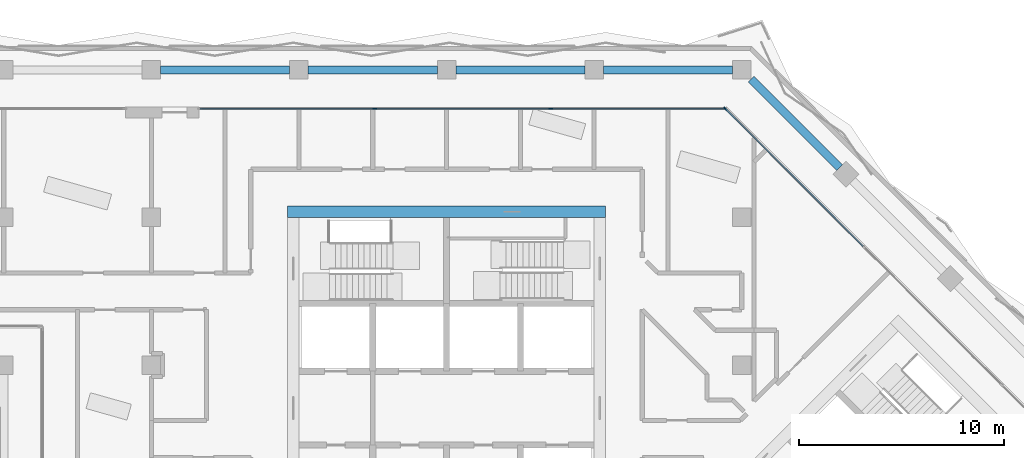
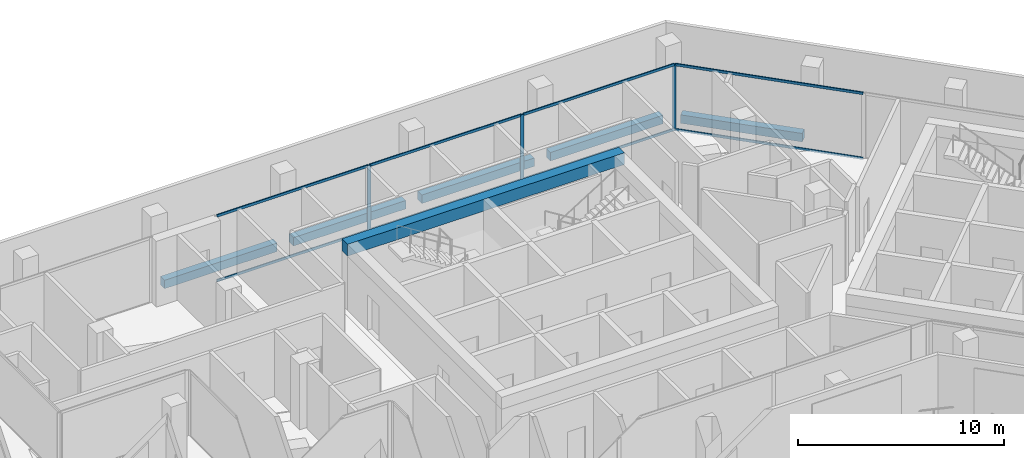
# One storey, part 6 of 19: 11 members, 6 beams, 2 elements without a shape of their own.
"""IFC4 building model written with IfcOpenShell, lengths in metres."""

from ifc_helpers import new_model, si_unit, direction, frame, origin, origin_2d, place, context, subcontext, project, spatial, rectangle, extrude, material, material_profile, profile_set, type_object, element, aggregate, save


model = new_model("IFC4")

# Units and contexts
model_context = context("Model", 3, precision=1e-05, world=origin(), true_north=direction((0.0, 1.0)))
body_context = subcontext(model_context, "Body", "Model", "MODEL_VIEW")
ifc_project = project(units=[si_unit("LENGTHUNIT", "METRE"), si_unit("AREAUNIT", "SQUARE_METRE"), si_unit("VOLUMEUNIT", "CUBIC_METRE"), si_unit("PLANEANGLEUNIT", "RADIAN"), si_unit("MASSUNIT", "GRAM", prefix="KILO")], contexts=[model_context])

# Site, building, storey
site_placement = place(None, origin())
site = spatial("IfcSite", under=ifc_project, at=site_placement, CompositionType="ELEMENT")
building_placement = place(site_placement, origin())
building = spatial("IfcBuilding", under=site, at=building_placement, Name="Windrow Commons", CompositionType="ELEMENT")
storey_placement = place(building_placement, frame((0.0, 0.0, 176.2)))
storey = spatial("IfcBuildingStorey", under=building, at=storey_placement, Name="L48", CompositionType="ELEMENT", Elevation=176.2)

# Curtain wall, member
ifc_material_1 = material(Name="Clear laminated glass in Aluminium 6063-T6 anodised frame", Category="aluminium")
curtain_wall_type = type_object("IfcCurtainWallType", Name="Curtain wall CW2H sky lounge upper", PredefinedType="USERDEFINED", material=ifc_material_1)
placement = place(storey_placement, origin())
curtain_wall_1 = element("IfcCurtainWall", 1, at=placement, inside=storey, type_object=curtain_wall_type, Name="Curtain wall CW2H L48 3", ObjectType="UNITISED", PredefinedType="USERDEFINED")
ifc_material_2 = material(Name="Aluminium 6063-T6", Category="aluminium")
ifc_material_profile_1 = material_profile(ifc_material_2, rectangle(XDim=0.06, YDim=0.2, at=origin_2d()))
ifc_profile_set_1 = profile_set([ifc_material_profile_1], Name="Aluminium 6063-T6")
member_type_1 = type_object("IfcMemberType", Name="CW2H mullion 60x200", PredefinedType="MULLION", material=ifc_profile_set_1)
member_1_placement = place(storey_placement, frame((78.4049, 70.1081, 0.0), z_axis=(0.0, 0.0, 1.0), x_axis=(-0.7071067812, -0.7071067812, 0.0)))
member_1 = element("IfcMember", 2, at=member_1_placement, type_object=member_type_1, Name="CW2H mullion 4", PredefinedType="MULLION", context=body_context, shape_type="SweptSolid", body=[
    extrude(rectangle(XDim=0.06, YDim=0.2, at=origin_2d()), origin(), (0.0, 0.0, 1.0), 3.9),
])

# Curtain wall, members
curtain_wall_2 = element("IfcCurtainWall", 3, at=placement, inside=storey, type_object=curtain_wall_type, Name="Curtain wall CW2H L48 4.1", ObjectType="UNITISED", PredefinedType="USERDEFINED")
member_2_placement = place(storey_placement, frame((69.8787, 70.1, 0.0), z_axis=(0.0, 0.0, 1.0), x_axis=(0.0, -1.0, 0.0)))
member_2 = element("IfcMember", 4, at=member_2_placement, type_object=member_type_1, Name="CW2H mullion 2", PredefinedType="MULLION", context=body_context, shape_type="SweptSolid", body=[
    extrude(rectangle(XDim=0.06, YDim=0.2, at=origin_2d()), origin(), (0.0, 0.0, 1.0), 3.9),
])
member_3_placement = place(storey_placement, frame((61.3031, 70.1, 0.0), z_axis=(0.0, 0.0, 1.0), x_axis=(0.0, -1.0, 0.0)))
member_3 = element("IfcMember", 5, at=member_3_placement, type_object=member_type_1, Name="CW2H mullion 3", PredefinedType="MULLION", context=body_context, shape_type="SweptSolid", body=[
    extrude(rectangle(XDim=0.06, YDim=0.2, at=origin_2d()), origin(), (0.0, 0.0, 1.0), 3.9),
])

# Member
ifc_material_3 = material(Name="Aluminium 6063-T6", Category="aluminium")
ifc_material_profile_2 = material_profile(ifc_material_3, rectangle(XDim=0.06, YDim=0.15, at=origin_2d()))
ifc_profile_set_2 = profile_set([ifc_material_profile_2], Name="Aluminium 6063-T6")
member_type_2 = type_object("IfcMemberType", Name="CW2H transom 60x150", PredefinedType="USERDEFINED", material=ifc_profile_set_2)
member_4_placement = place(storey_placement, frame((85.1164, 63.3966, 0.03), z_axis=(-0.7071067812, 0.7071067812, 0.0), x_axis=(-0.7071067812, -0.7071067812, 0.0)))
member_4 = element("IfcMember", 6, at=member_4_placement, type_object=member_type_2, Name="CW2H transom 3.1", ObjectType="TRANSOM", PredefinedType="USERDEFINED", context=body_context, shape_type="SweptSolid", body=[
    extrude(rectangle(XDim=0.06, YDim=0.15, at=origin_2d()), origin(), (0.0, 0.0, 1.0), 9.4615),
])

member_5_placement = place(storey_placement, frame((85.1164, 63.3966, 3.87), z_axis=(-0.7071067812, 0.7071067812, 0.0), x_axis=(-0.7071067812, -0.7071067812, 0.0)))
member_5 = element("IfcMember", 7, at=member_5_placement, type_object=member_type_2, Name="CW2H transom 3.2", ObjectType="TRANSOM", PredefinedType="USERDEFINED", context=body_context, shape_type="SweptSolid", body=[
    extrude(rectangle(XDim=0.06, YDim=0.15, at=origin_2d()), origin(), (0.0, 0.0, 1.0), 9.4615),
])

aggregate(curtain_wall_1, [member_1, member_4, member_5])

member_6_placement = place(storey_placement, frame((78.3944, 70.1, 0.03), z_axis=(-1.0, 0.0, 0.0), x_axis=(0.0, -1.0, 0.0)))
member_6 = element("IfcMember", 8, at=member_6_placement, type_object=member_type_2, Name="CW2H transom 1.1", ObjectType="TRANSOM", PredefinedType="USERDEFINED", context=body_context, shape_type="SweptSolid", body=[
    extrude(rectangle(XDim=0.06, YDim=0.15, at=origin_2d()), origin(), (0.0, 0.0, 1.0), 8.4857),
])

member_7_placement = place(storey_placement, frame((78.3944, 70.1, 3.87), z_axis=(-1.0, 0.0, 0.0), x_axis=(0.0, -1.0, 0.0)))
member_7 = element("IfcMember", 9, at=member_7_placement, type_object=member_type_2, Name="CW2H transom 1.2", ObjectType="TRANSOM", PredefinedType="USERDEFINED", context=body_context, shape_type="SweptSolid", body=[
    extrude(rectangle(XDim=0.06, YDim=0.15, at=origin_2d()), origin(), (0.0, 0.0, 1.0), 8.4857),
])

member_8_placement = place(storey_placement, frame((69.8487, 70.1, 0.03), z_axis=(-1.0, 0.0, 0.0), x_axis=(0.0, -1.0, 0.0)))
member_8 = element("IfcMember", 10, at=member_8_placement, type_object=member_type_2, Name="CW2H transom 2.1", ObjectType="TRANSOM", PredefinedType="USERDEFINED", context=body_context, shape_type="SweptSolid", body=[
    extrude(rectangle(XDim=0.06, YDim=0.15, at=origin_2d()), origin(), (0.0, 0.0, 1.0), 8.5156),
])

member_9_placement = place(storey_placement, frame((69.8487, 70.1, 3.87), z_axis=(-1.0, 0.0, 0.0), x_axis=(0.0, -1.0, 0.0)))
member_9 = element("IfcMember", 11, at=member_9_placement, type_object=member_type_2, Name="CW2H transom 2.2", ObjectType="TRANSOM", PredefinedType="USERDEFINED", context=body_context, shape_type="SweptSolid", body=[
    extrude(rectangle(XDim=0.06, YDim=0.15, at=origin_2d()), origin(), (0.0, 0.0, 1.0), 8.5156),
])

member_10_placement = place(storey_placement, frame((61.2731, 70.1, 0.03), z_axis=(-1.0, 0.0, 0.0), x_axis=(0.0, -1.0, 0.0)))
member_10 = element("IfcMember", 12, at=member_10_placement, type_object=member_type_2, Name="CW2H transom 3.1", ObjectType="TRANSOM", PredefinedType="USERDEFINED", context=body_context, shape_type="SweptSolid", body=[
    extrude(rectangle(XDim=0.06, YDim=0.15, at=origin_2d()), origin(), (0.0, 0.0, 1.0), 8.4857),
])

member_11_placement = place(storey_placement, frame((61.2731, 70.1, 3.87), z_axis=(-1.0, 0.0, 0.0), x_axis=(0.0, -1.0, 0.0)))
member_11 = element("IfcMember", 13, at=member_11_placement, type_object=member_type_2, Name="CW2H transom 3.2", ObjectType="TRANSOM", PredefinedType="USERDEFINED", context=body_context, shape_type="SweptSolid", body=[
    extrude(rectangle(XDim=0.06, YDim=0.15, at=origin_2d()), origin(), (0.0, 0.0, 1.0), 8.4857),
])

aggregate(curtain_wall_2, [member_2, member_3, member_6, member_7, member_8, member_9, member_10, member_11])

# Beams
ifc_material_4 = material(Name="Concrete C50/60", Category="concrete")
ifc_material_profile_3 = material_profile(ifc_material_4, rectangle(XDim=0.55, YDim=0.7, at=origin_2d()))
ifc_profile_set_3 = profile_set([ifc_material_profile_3], Name="Concrete C50/60")
beam_type_1 = type_object("IfcBeamType", Name="RC COUPLING BEAM 550x700 C50/60", PredefinedType="LINTEL", material=ifc_profile_set_3)
beam_1_placement = place(storey_placement, frame((57.05, 65.075, 3.55), z_axis=(1.0, 0.0, 0.0), x_axis=(0.0, 1.0, 0.0)))
element("IfcBeam", 14, at=beam_1_placement, inside=storey, type_object=beam_type_1, Name="Core A coupling beam outer-N", PredefinedType="LINTEL", context=body_context, shape_type="SweptSolid", body=[
    extrude(rectangle(XDim=0.55, YDim=0.7, at=origin_2d()), origin(), (0.0, 0.0, 1.0), 15.5),
])
ifc_material_5 = material(Name="Concrete C50/60", Category="concrete")
ifc_material_profile_4 = material_profile(ifc_material_5, rectangle(XDim=0.4, YDim=0.5, at=origin_2d()))
ifc_profile_set_4 = profile_set([ifc_material_profile_4], Name="Concrete C50/60")
beam_type_2 = type_object("IfcBeamType", Name="RC EDGE BEAM 400x500 C50/60", PredefinedType="SPANDREL", material=ifc_profile_set_4)
for number, where, z_axis, x_axis, name in (
    (15, (50.85, 72.0, -0.55), (1.0, 0.0, 0.0), (0.0, 1.0, 0.0), "Edge beam L48 014"),
    (16, (58.05, 72.0, -0.55), (1.0, 0.0, 0.0), (0.0, 1.0, 0.0), "Edge beam L48 015"),
    (17, (65.25, 72.0, -0.55), (1.0, 0.0, 0.0), (0.0, 1.0, 0.0), "Edge beam L48 016"),
    (18, (72.45, 72.0, -0.55), (1.0, 0.0, 0.0), (0.0, 1.0, 0.0), "Edge beam L48 017"),
):
    element("IfcBeam", number, at=place(storey_placement, frame(where, z_axis=z_axis, x_axis=x_axis)), inside=storey, type_object=beam_type_2, Name=name, PredefinedType="SPANDREL", context=body_context, shape_type="SweptSolid", body=[
        extrude(rectangle(XDim=0.4, YDim=0.5, at=origin_2d()), origin(), (0.0, 0.0, 1.0), 6.3),
    ])
beam_2_placement = place(storey_placement, frame((79.65, 71.55, -0.55), z_axis=(0.7071067812, -0.7071067812, 0.0), x_axis=(0.7071067812, 0.7071067812, 0.0)))
element("IfcBeam", 19, at=beam_2_placement, inside=storey, type_object=beam_type_2, Name="Edge beam L48 018", PredefinedType="SPANDREL", context=body_context, shape_type="SweptSolid", body=[
    extrude(rectangle(XDim=0.4, YDim=0.5, at=origin_2d()), origin(), (0.0, 0.0, 1.0), 6.1136),
])

save(model, "model.ifc")
